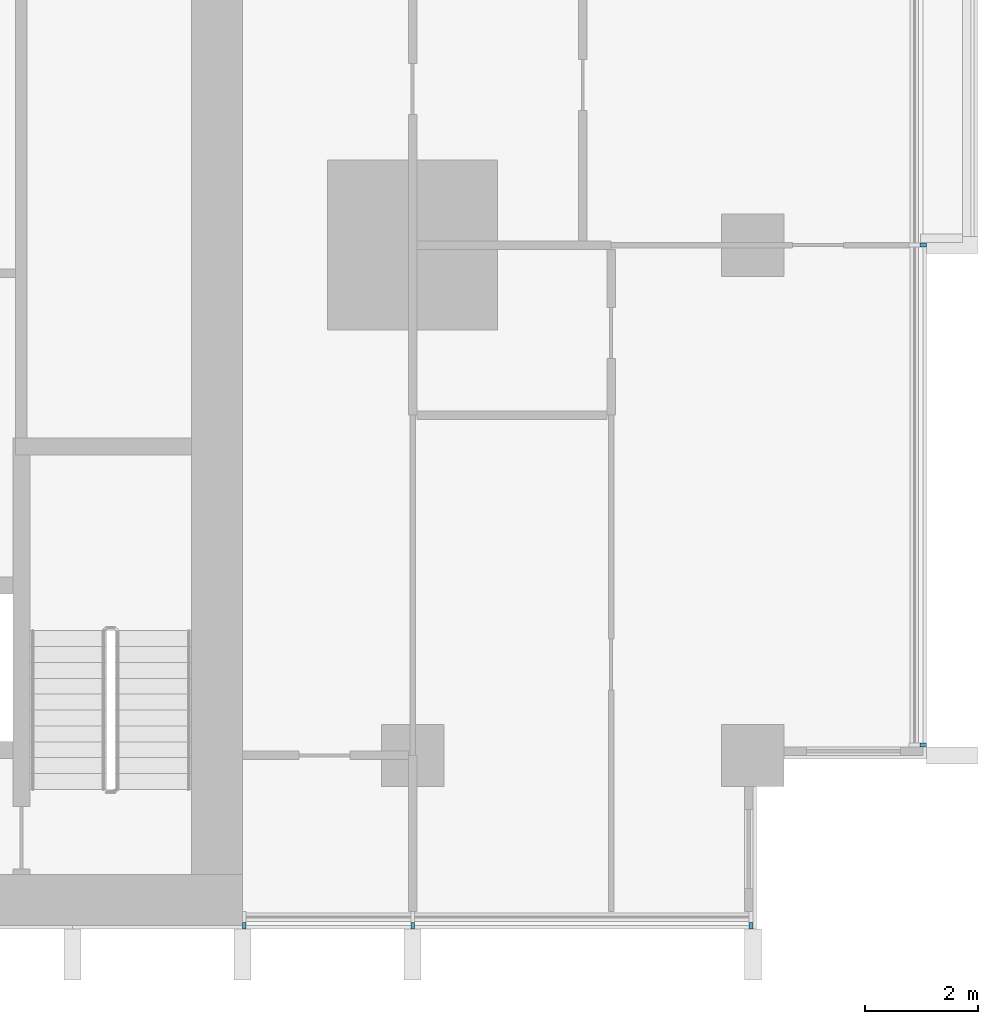
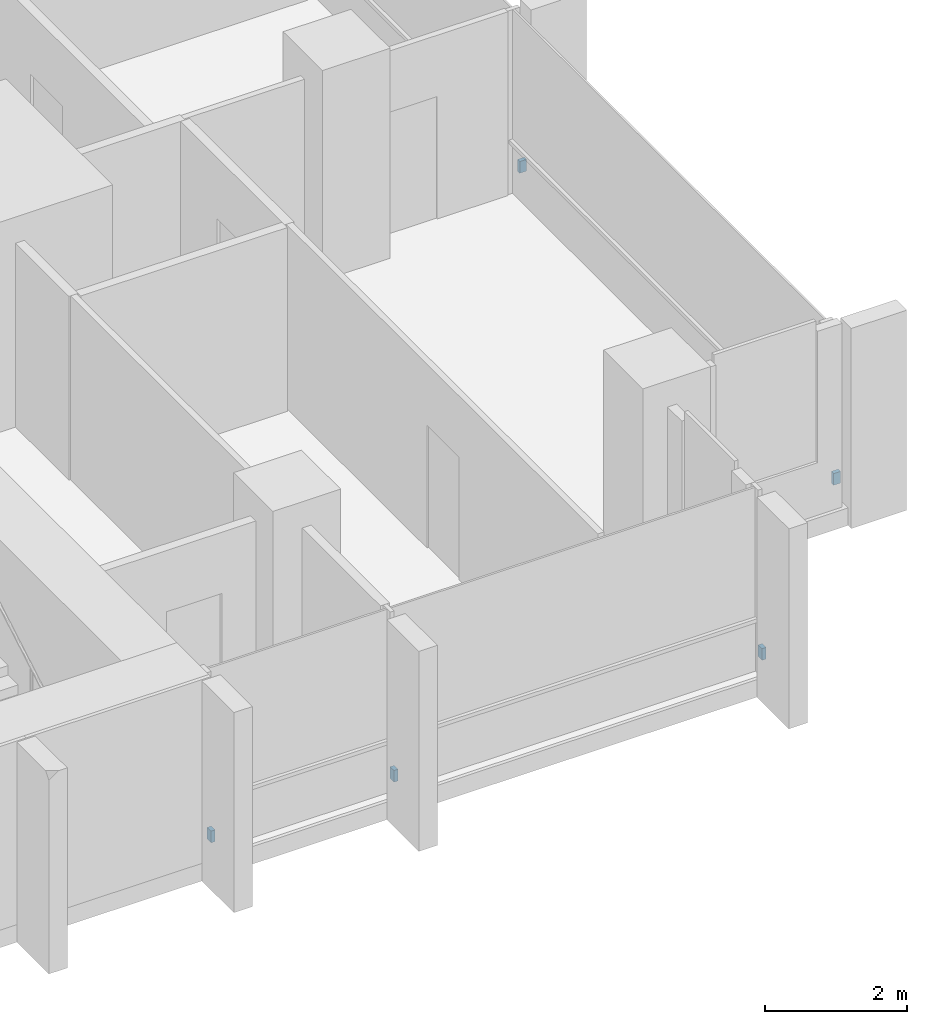
# One storey, part 15 of 18: 5 discrete accessories.
"""IFC4 building model written with IfcOpenShell, lengths in metres."""

from ifc_helpers import new_model, si_unit, direction, frame, origin, origin_2d, place, context, subcontext, project, spatial, rectangle, extrude, material, type_object, element, save


model = new_model("IFC4")

# Units and contexts
model_context = context("Model", 3, precision=1e-05, world=origin(), true_north=direction((0.0, 1.0)))
body_context = subcontext(model_context, "Body", "Model", "MODEL_VIEW")
ifc_project = project(units=[si_unit("LENGTHUNIT", "METRE"), si_unit("AREAUNIT", "SQUARE_METRE"), si_unit("VOLUMEUNIT", "CUBIC_METRE"), si_unit("PLANEANGLEUNIT", "RADIAN"), si_unit("MASSUNIT", "GRAM", prefix="KILO")], contexts=[model_context])

# Site, building, storey
site_placement = place(None, origin())
site = spatial("IfcSite", under=ifc_project, at=site_placement, CompositionType="ELEMENT")
building_placement = place(site_placement, origin())
building = spatial("IfcBuilding", under=site, at=building_placement, Name="Finial Court Residences", CompositionType="ELEMENT")
storey_placement = place(building_placement, frame((0.0, 0.0, 72.10009765625)))
storey = spatial("IfcBuildingStorey", under=building, at=storey_placement, Name="L17", CompositionType="ELEMENT", Elevation=72.10009765625)

# Discrete accessories
ifc_material = material(Name="Stainless steel 316", Category="steel")
discrete_accessory_type = type_object("IfcDiscreteAccessoryType", Name="Fin bracket, stainless steel 65 x 110 x 200", PredefinedType="BRACKET", material=ifc_material)
for number, where, z_axis, x_axis, name in (
    (1, (25.5048828125, -22.3173828125, 0.2998046875), (0.0, 0.0, 1.0), (1.0, 0.0, 0.0), "E-L17-FIN-E9-BRK"),
    (2, (25.5048828125, -13.5, 0.2998046875), (0.0, 0.0, 1.0), (1.0, 0.0, 0.0), "E-L17-FIN-E10-BRK"),
):
    element("IfcDiscreteAccessory", number, at=place(storey_placement, frame(where, z_axis=z_axis, x_axis=x_axis)), inside=storey, type_object=discrete_accessory_type, Name=name, PredefinedType="BRACKET", context=body_context, shape_type="SweptSolid", body=[
        extrude(rectangle(XDim=0.110107421875, YDim=0.06494140625, at=origin_2d()), origin(), (0.0, 0.0, 1.0), 0.199951171875),
    ])
for number, where, z_axis, x_axis, name in (
    (3, (13.532470703125, -25.5048828125, 0.2998046875), (0.0, 0.0, 1.0), (1.0, 0.0, 0.0), "E-L17-FIN-S24-BRK"),
    (4, (16.5, -25.5048828125, 0.2998046875), (0.0, 0.0, 1.0), (1.0, 0.0, 0.0), "E-L17-FIN-S25-BRK"),
    (5, (22.467529296875, -25.5048828125, 0.2998046875), (0.0, 0.0, 1.0), (1.0, 0.0, 0.0), "E-L17-FIN-S26-BRK"),
):
    element("IfcDiscreteAccessory", number, at=place(storey_placement, frame(where, z_axis=z_axis, x_axis=x_axis)), inside=storey, type_object=discrete_accessory_type, Name=name, PredefinedType="BRACKET", context=body_context, shape_type="SweptSolid", body=[
        extrude(rectangle(XDim=0.06494140625, YDim=0.110107421875, at=origin_2d()), origin(), (0.0, 0.0, 1.0), 0.199951171875),
    ])

save(model, "model.ifc")
